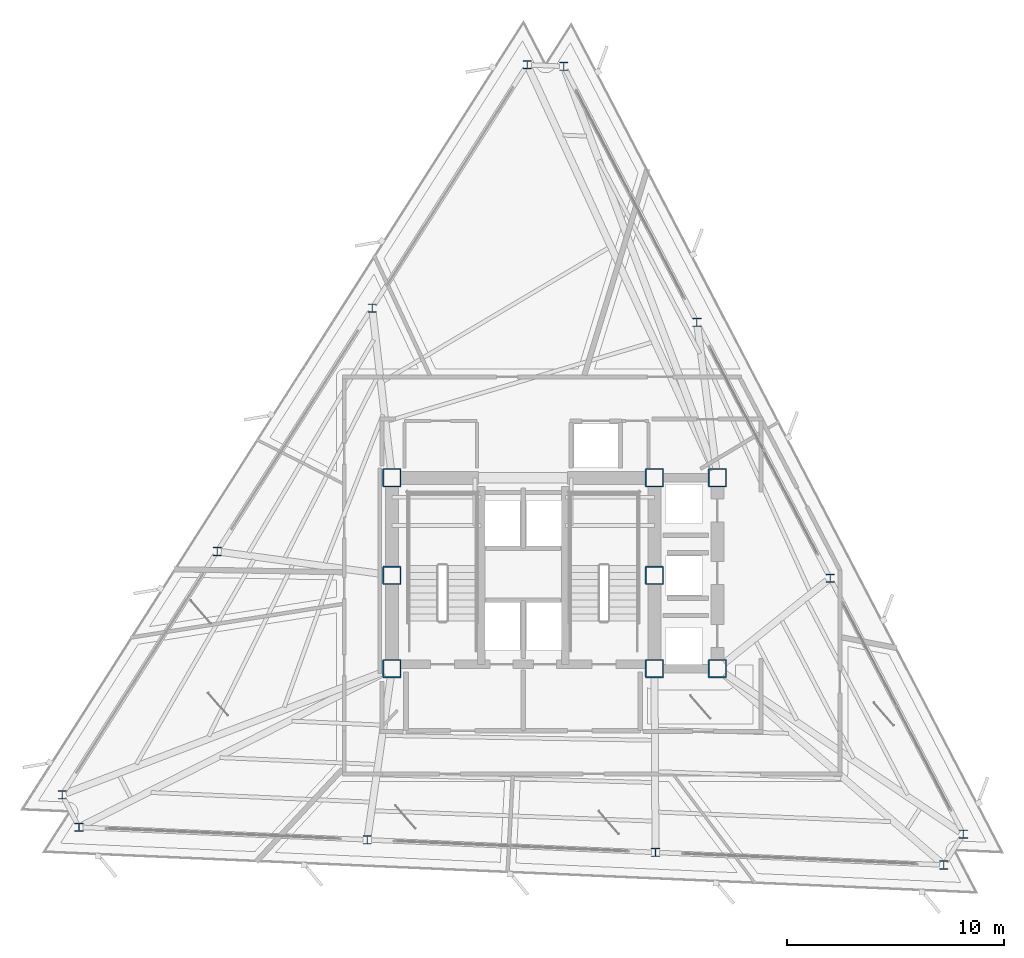
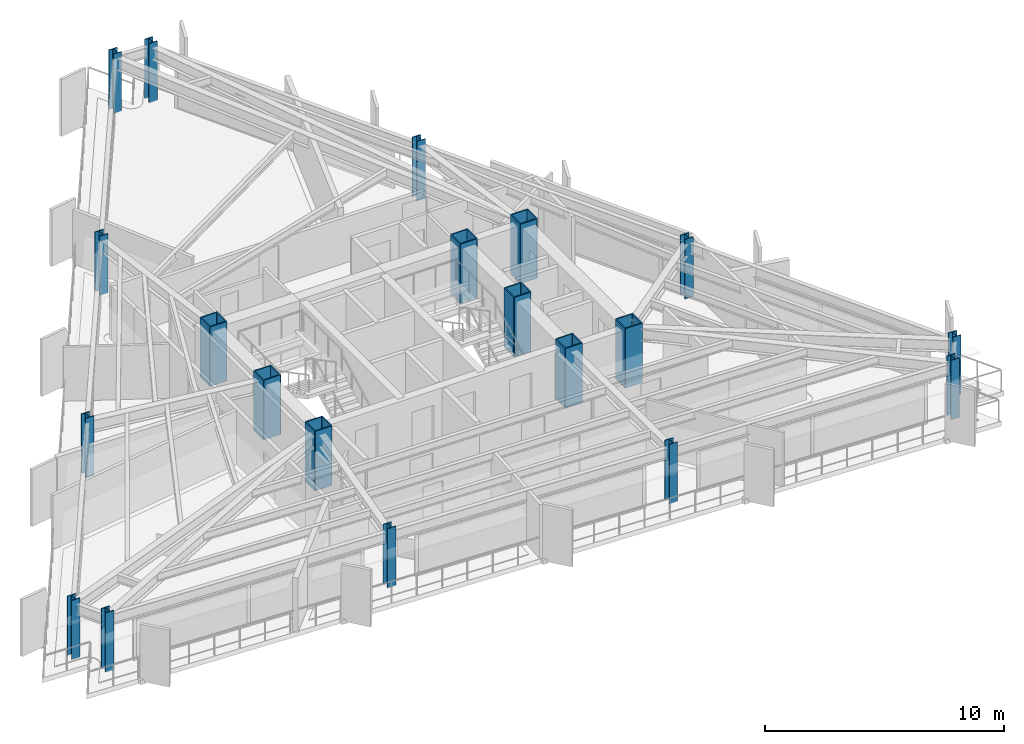
# One storey, part 1 of 12: 20 columns.
"""IFC4 building model written with IfcOpenShell, lengths in metres."""

from ifc_helpers import new_model, si_unit, direction, frame, origin, origin_2d, place, context, subcontext, project, spatial, hollow_rectangle, i_section, extrude, material, material_profile, profile_set, type_object, element, save


model = new_model("IFC4")

# Units and contexts
model_context = context("Model", 3, precision=1e-05, world=origin(), true_north=direction((0.0, 1.0)))
body_context = subcontext(model_context, "Body", "Model", "MODEL_VIEW")
ifc_project = project(units=[si_unit("LENGTHUNIT", "METRE"), si_unit("AREAUNIT", "SQUARE_METRE"), si_unit("VOLUMEUNIT", "CUBIC_METRE"), si_unit("PLANEANGLEUNIT", "RADIAN"), si_unit("MASSUNIT", "GRAM", prefix="KILO")], contexts=[model_context])

# Site, building, storey
site_placement = place(None, origin())
site = spatial("IfcSite", under=ifc_project, at=site_placement, CompositionType="ELEMENT")
building_placement = place(site_placement, origin())
building = spatial("IfcBuilding", under=site, at=building_placement, Name="Rocaltana Carrier Exchange", CompositionType="ELEMENT")
storey_placement = place(building_placement, frame((0.0, 0.0, 141.1201171875)))
storey = spatial("IfcBuildingStorey", under=building, at=storey_placement, Name="L44", CompositionType="ELEMENT", Elevation=141.1201171875)

# Columns
ifc_material_1 = material(Name="Steel S460", Category="steel")
ifc_material_profile_1 = material_profile(ifc_material_1, hollow_rectangle(XDim=0.85009765625, YDim=0.85009765625, WallThickness=0.054931640625, InnerFilletRadius=0.02001953125, OuterFilletRadius=0.0400390625, at=origin_2d()), Name="BOX850X850X55")
ifc_profile_set_1 = profile_set([ifc_material_profile_1], Name="Steel S460")
column_type_1 = type_object("IfcColumnType", Name="Core Mega-Column BOX850", PredefinedType="COLUMN", material=ifc_profile_set_1)
for number, where, z_axis, x_axis, name in (
    (1, (-6.050048828125, 4.5, 0.0), (0.0, 0.0, 1.0), (1.0, 0.0, 0.0), "L44 Core Mega-Column MC1"),
    (2, (6.050048828125, 4.5, 0.0), (0.0, 0.0, 1.0), (1.0, 0.0, 0.0), "L44 Core Mega-Column MC2"),
    (3, (-6.050048828125, 0.0, 0.0), (0.0, 0.0, 1.0), (1.0, 0.0, 0.0), "L44 Core Mega-Column MC3"),
    (4, (6.050048828125, 0.0, 0.0), (0.0, 0.0, 1.0), (1.0, 0.0, 0.0), "L44 Core Mega-Column MC4"),
    (5, (-6.050048828125, -4.300048828125, 0.0), (0.0, 0.0, 1.0), (1.0, 0.0, 0.0), "L44 Core Mega-Column MC5"),
    (6, (6.050048828125, -4.300048828125, 0.0), (0.0, 0.0, 1.0), (1.0, 0.0, 0.0), "L44 Core Mega-Column MC6"),
    (7, (8.949951171875, 4.5, 0.0), (0.0, 0.0, 1.0), (1.0, 0.0, 0.0), "L44 East Core Column EC1"),
    (8, (8.949951171875, -4.300048828125, 0.0), (0.0, 0.0, 1.0), (1.0, 0.0, 0.0), "L44 East Core Column EC2"),
):
    element("IfcColumn", number, at=place(storey_placement, frame(where, z_axis=z_axis, x_axis=x_axis)), inside=storey, type_object=column_type_1, Name=name, PredefinedType="COLUMN", context=body_context, shape_type="SweptSolid", body=[
        extrude(hollow_rectangle(XDim=0.85009765625, YDim=0.85009765625, WallThickness=0.054931640625, InnerFilletRadius=0.02001953125, OuterFilletRadius=0.0400390625, at=origin_2d()), origin(), (0.0, 0.0, 1.0), 3.039794921875),
    ])
ifc_material_2 = material(Name="Steel S355", Category="steel")
ifc_material_profile_2 = material_profile(ifc_material_2, i_section(OverallWidth=0.40087890625, OverallDepth=0.39892578125, WebThickness=0.02490234375, FlangeThickness=0.03955078125, FilletRadius=0.01806640625, at=origin_2d()), Name="W14X211")
ifc_profile_set_2 = profile_set([ifc_material_profile_2], Name="Steel S355")
column_type_2 = type_object("IfcColumnType", Name="Perimeter Column W14X211", PredefinedType="COLUMN", material=ifc_profile_set_2)
for number, where, z_axis, x_axis, name in (
    (9, (20.29150390625, -11.92822265625, 0.0), (0.0, 0.0, 1.0), (1.0, 0.0, 0.0), "L44 Perimeter Column TC01"),
    (10, (14.150146484375, -0.130859375, 0.0), (0.0, 0.0, 1.0), (1.0, 0.0, 0.0), "L44 Perimeter Column TC02"),
    (11, (8.009033203125, 11.666259765625, 0.0), (0.0, 0.0, 1.0), (1.0, 0.0, 0.0), "L44 Perimeter Column TC03"),
    (12, (1.86767578125, 23.46337890625, 0.0), (0.0, 0.0, 1.0), (1.0, 0.0, 0.0), "L44 Perimeter Column TC04"),
    (13, (0.184326171875, 23.537109375, 0.0), (0.0, 0.0, 1.0), (1.0, 0.0, 0.0), "L44 Perimeter Column TC05"),
    (14, (-6.961669921875, 12.31982421875, 0.0), (0.0, 0.0, 1.0), (1.0, 0.0, 0.0), "L44 Perimeter Column TC06"),
    (15, (-14.10791015625, 1.102783203125, 0.0), (0.0, 0.0, 1.0), (1.0, 0.0, 0.0), "L44 Perimeter Column TC07"),
    (16, (-21.25390625, -10.1142578125, 0.0), (0.0, 0.0, 1.0), (1.0, 0.0, 0.0), "L44 Perimeter Column TC08"),
    (17, (-20.475830078125, -11.60888671875, 0.0), (0.0, 0.0, 1.0), (1.0, 0.0, 0.0), "L44 Perimeter Column TC09"),
    (18, (-7.1884765625, -12.18896484375, 0.0), (0.0, 0.0, 1.0), (1.0, 0.0, 0.0), "L44 Perimeter Column TC10"),
    (19, (6.098876953125, -12.76904296875, 0.0), (0.0, 0.0, 1.0), (1.0, 0.0, 0.0), "L44 Perimeter Column TC11"),
    (20, (19.38623046875, -13.349365234375, 0.0), (0.0, 0.0, 1.0), (1.0, 0.0, 0.0), "L44 Perimeter Column TC12"),
):
    element("IfcColumn", number, at=place(storey_placement, frame(where, z_axis=z_axis, x_axis=x_axis)), inside=storey, type_object=column_type_2, Name=name, PredefinedType="COLUMN", context=body_context, shape_type="SweptSolid", body=[
        extrude(i_section(OverallWidth=0.40087890625, OverallDepth=0.39892578125, WebThickness=0.02490234375, FlangeThickness=0.03955078125, FilletRadius=0.01806640625, at=origin_2d()), origin(), (0.0, 0.0, 1.0), 3.039794921875),
    ])

save(model, "model.ifc")
